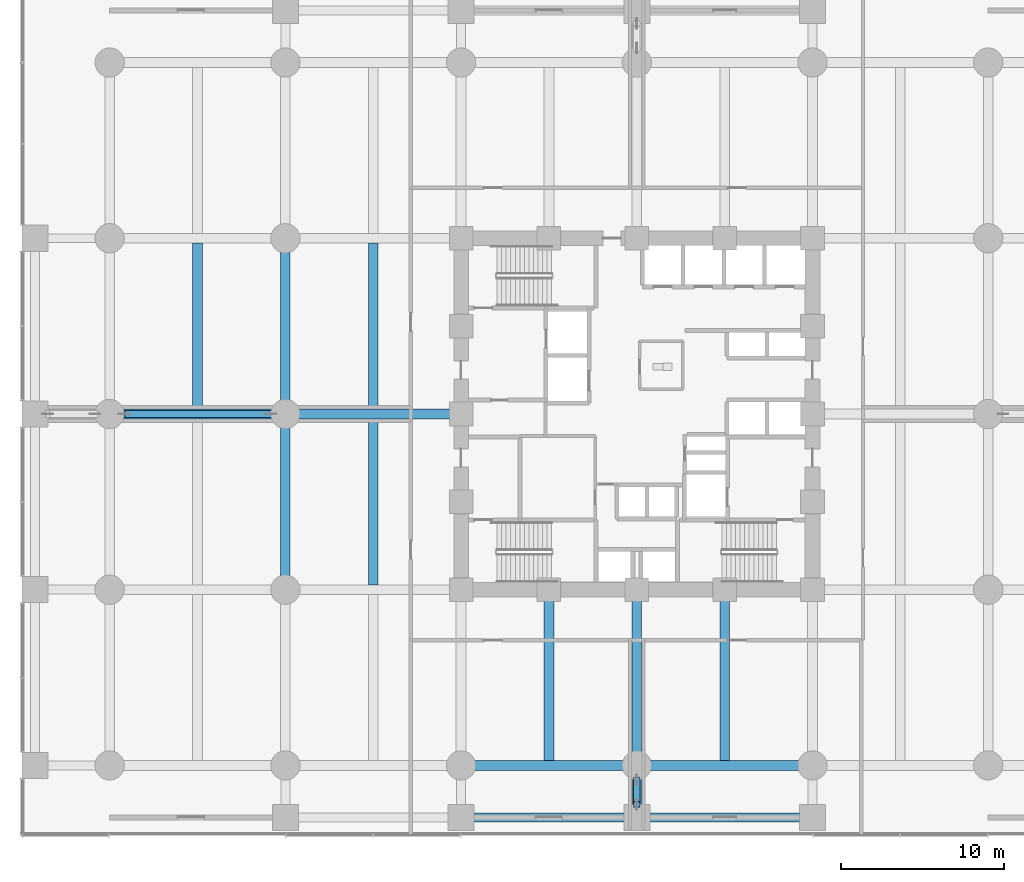
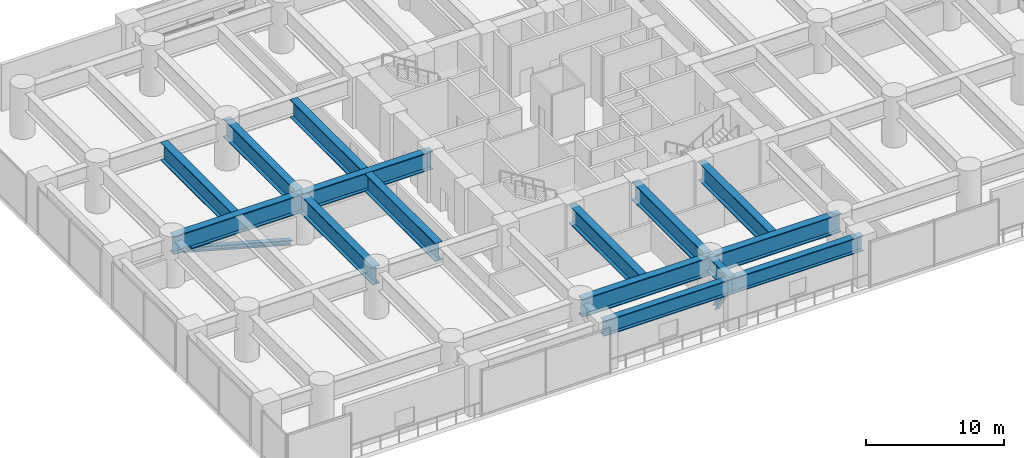
# One storey, part 8 of 37: 15 beams, 2 members.
"""IFC4 building model written with IfcOpenShell, lengths in metres."""

from ifc_helpers import new_model, si_unit, direction, frame, origin, origin_2d, place, context, subcontext, project, spatial, i_section, extrude, material, material_profile, profile_set, type_object, element, save


model = new_model("IFC4")

# Units and contexts
model_context = context("Model", 3, precision=1e-05, world=origin(), true_north=direction((0.0, 1.0)))
body_context = subcontext(model_context, "Body", "Model", "MODEL_VIEW")
ifc_project = project(units=[si_unit("LENGTHUNIT", "METRE"), si_unit("AREAUNIT", "SQUARE_METRE"), si_unit("VOLUMEUNIT", "CUBIC_METRE"), si_unit("PLANEANGLEUNIT", "RADIAN"), si_unit("MASSUNIT", "GRAM", prefix="KILO")], contexts=[model_context])

# Site, building, storey
site_placement = place(None, origin())
site = spatial("IfcSite", under=ifc_project, at=site_placement, CompositionType="ELEMENT")
building_placement = place(site_placement, origin())
building = spatial("IfcBuilding", under=site, at=building_placement, Name="Surkhivell Harbour Commons", CompositionType="ELEMENT")
storey_placement = place(building_placement, frame((0.0, 0.0, 18.0)))
storey = spatial("IfcBuildingStorey", under=building, at=storey_placement, Name="L04", CompositionType="ELEMENT", Elevation=18.0)

# Beams
ifc_material = material(Name="Steel S460", Category="steel")
ifc_material_profile_1 = material_profile(ifc_material, i_section(OverallWidth=0.550048828125, OverallDepth=1.35009765625, WebThickness=0.031982421875, FlangeThickness=0.06005859375, at=origin_2d()), Name="WPG1350x550x248")
ifc_profile_set_1 = profile_set([ifc_material_profile_1], Name="Steel S460")
beam_type_1 = type_object("IfcBeamType", Name="BM-TRF-1350", PredefinedType="BEAM", material=ifc_profile_set_1)
beam_1_placement = place(storey_placement, frame((-10.800048828125, -24.800048828125, 3.405029296875), z_axis=(1.0, 0.0, 0.0), x_axis=(0.0, 1.0, 0.0)))
element("IfcBeam", 1, at=beam_1_placement, inside=storey, type_object=beam_type_1, Name="L04 Transfer Girder (-10.8,-24.8)", PredefinedType="BEAM", context=body_context, shape_type="SweptSolid", body=[
    extrude(i_section(OverallWidth=0.550048828125, OverallDepth=1.35009765625, WebThickness=0.031982421875, FlangeThickness=0.06005859375, at=origin_2d()), origin(), (0.0, 0.0, 1.0), 10.800048828125),
])
beam_2_placement = place(storey_placement, frame((0.0, -24.800048828125, 3.405029296875), z_axis=(0.0, 1.0, 0.0), x_axis=(-1.0, 0.0, 0.0)))
element("IfcBeam", 2, at=beam_2_placement, inside=storey, type_object=beam_type_1, Name="L04 Transfer Girder (0.0,-24.8)", PredefinedType="BEAM", context=body_context, shape_type="SweptSolid", body=[
    extrude(i_section(OverallWidth=0.550048828125, OverallDepth=1.35009765625, WebThickness=0.031982421875, FlangeThickness=0.06005859375, at=origin_2d()), origin(), (0.0, 0.0, 1.0), 3.199951171875),
])
beam_3_placement = place(storey_placement, frame((0.0, -24.800048828125, 3.405029296875), z_axis=(1.0, 0.0, 0.0), x_axis=(0.0, 1.0, 0.0)))
element("IfcBeam", 3, at=beam_3_placement, inside=storey, type_object=beam_type_1, Name="L04 Transfer Girder (0.0,-24.8)", PredefinedType="BEAM", context=body_context, shape_type="SweptSolid", body=[
    extrude(i_section(OverallWidth=0.550048828125, OverallDepth=1.35009765625, WebThickness=0.031982421875, FlangeThickness=0.06005859375, at=origin_2d()), origin(), (0.0, 0.0, 1.0), 10.800048828125),
])
ifc_material_profile_2 = material_profile(ifc_material, i_section(OverallWidth=0.60009765625, OverallDepth=1.60009765625, WebThickness=0.035888671875, FlangeThickness=0.06494140625, at=origin_2d()), Name="WPG1600x600x296")
ifc_profile_set_2 = profile_set([ifc_material_profile_2], Name="Steel S460")
beam_type_2 = type_object("IfcBeamType", Name="BM-TRF-1600", PredefinedType="BEAM", material=ifc_profile_set_2)
beam_4_placement = place(storey_placement, frame((-32.39990234375, 0.0, 3.280029296875), z_axis=(1.0, 0.0, 0.0), x_axis=(0.0, 1.0, 0.0)))
element("IfcBeam", 4, at=beam_4_placement, inside=storey, type_object=beam_type_2, Name="L04 Transfer Girder (-32.4,0.0)", PredefinedType="BEAM", context=body_context, shape_type="SweptSolid", body=[
    extrude(i_section(OverallWidth=0.60009765625, OverallDepth=1.60009765625, WebThickness=0.035888671875, FlangeThickness=0.06494140625, at=origin_2d()), origin(), (0.0, 0.0, 1.0), 10.7998046875),
])
for number, where, z_axis, x_axis, name in (
    (5, (-21.60009765625, -10.800048828125, 3.280029296875), (0.0, 1.0, 0.0), (-1.0, 0.0, 0.0), "L04 Transfer Girder (-21.6,-10.8)"),
    (6, (-21.60009765625, 0.0, 3.280029296875), (0.0, 1.0, 0.0), (-1.0, 0.0, 0.0), "L04 Transfer Girder (-21.6,0.0)"),
    (7, (-21.60009765625, 0.0, 3.280029296875), (1.0, 0.0, 0.0), (0.0, 1.0, 0.0), "L04 Transfer Girder (-21.6,0.0)"),
    (8, (-10.800048828125, -21.60009765625, 3.280029296875), (1.0, 0.0, 0.0), (0.0, 1.0, 0.0), "L04 Transfer Girder (-10.8,-21.6)"),
    (9, (0.0, -21.60009765625, 3.280029296875), (0.0, 1.0, 0.0), (-1.0, 0.0, 0.0), "L04 Transfer Girder (0.0,-21.6)"),
    (10, (0.0, -21.60009765625, 3.280029296875), (1.0, 0.0, 0.0), (0.0, 1.0, 0.0), "L04 Transfer Girder (0.0,-21.6)"),
):
    element("IfcBeam", number, at=place(storey_placement, frame(where, z_axis=z_axis, x_axis=x_axis)), inside=storey, type_object=beam_type_2, Name=name, PredefinedType="BEAM", context=body_context, shape_type="SweptSolid", body=[
        extrude(i_section(OverallWidth=0.60009765625, OverallDepth=1.60009765625, WebThickness=0.035888671875, FlangeThickness=0.06494140625, at=origin_2d()), origin(), (0.0, 0.0, 1.0), 10.800048828125),
    ])
for number, where, z_axis, x_axis, name in (
    (11, (-27.0, 0.298095703125, 3.280029296875), (0.0, 1.0, 0.0), (-1.0, 0.0, 0.0), "L04 Secondary Transfer Girder (-27.0,0.0)"),
    (12, (-16.199951171875, -10.501953125, 3.280029296875), (0.0, 1.0, 0.0), (-1.0, 0.0, 0.0), "L04 Secondary Transfer Girder (-16.2,-10.8)"),
    (13, (-16.199951171875, 0.298095703125, 3.280029296875), (0.0, 1.0, 0.0), (-1.0, 0.0, 0.0), "L04 Secondary Transfer Girder (-16.2,0.0)"),
):
    element("IfcBeam", number, at=place(storey_placement, frame(where, z_axis=z_axis, x_axis=x_axis)), inside=storey, type_object=beam_type_2, Name=name, PredefinedType="BEAM", context=body_context, shape_type="SweptSolid", body=[
        extrude(i_section(OverallWidth=0.60009765625, OverallDepth=1.60009765625, WebThickness=0.035888671875, FlangeThickness=0.06494140625, at=origin_2d()), origin(), (0.0, 0.0, 1.0), 10.203857421875),
    ])
for number, where, z_axis, x_axis, name in (
    (14, (-5.39990234375, -21.302001953125, 3.280029296875), (0.0, 1.0, 0.0), (-1.0, 0.0, 0.0), "L04 Secondary Transfer Girder (-5.4,-21.6)"),
    (15, (5.39990234375, -21.302001953125, 3.280029296875), (0.0, 1.0, 0.0), (-1.0, 0.0, 0.0), "L04 Secondary Transfer Girder (5.4,-21.6)"),
):
    element("IfcBeam", number, at=place(storey_placement, frame(where, z_axis=z_axis, x_axis=x_axis)), inside=storey, type_object=beam_type_2, Name=name, PredefinedType="BEAM", context=body_context, shape_type="SweptSolid", body=[
        extrude(i_section(OverallWidth=0.60009765625, OverallDepth=1.60009765625, WebThickness=0.035888671875, FlangeThickness=0.06494140625, at=origin_2d()), origin(), (0.0, 0.0, 1.0), 10.2041015625),
    ])

# Members
ifc_material_profile_3 = material_profile(ifc_material, i_section(OverallWidth=0.406005859375, OverallDepth=0.416015625, WebThickness=0.026611328125, FlangeThickness=0.0390625, at=origin_2d()), Name="HD400x382")
ifc_profile_set_3 = profile_set([ifc_material_profile_3], Name="Steel S460")
member_type = type_object("IfcMemberType", Name="MEM-BRC-HD382", PredefinedType="BRACE", material=ifc_profile_set_3)
member_1_placement = place(storey_placement, frame((0.0, -22.49609375, 0.010009765625), z_axis=(0.0, -0.51798197074, 0.855391534906), x_axis=(1.0, 0.0, 0.0)))
element("IfcMember", 16, at=member_1_placement, inside=storey, type_object=member_type, Name="L04 Transfer Truss Diagonal TD-02", PredefinedType="BRACE", context=body_context, shape_type="SweptSolid", body=[
    extrude(i_section(OverallWidth=0.406005859375, OverallDepth=0.416015625, WebThickness=0.026611328125, FlangeThickness=0.0390625, at=origin_2d()), origin(), (0.0, 0.0, 1.0), 2.910888671875),
])
member_2_placement = place(storey_placement, frame((-22.49609375, 0.0, 0.010009765625), z_axis=(-0.963853237606, 0.0, 0.266433737271), x_axis=(0.0, -1.0, 0.0)))
element("IfcMember", 17, at=member_2_placement, inside=storey, type_object=member_type, Name="L04 Transfer Truss Diagonal TD-03", PredefinedType="BRACE", context=body_context, shape_type="SweptSolid", body=[
    extrude(i_section(OverallWidth=0.406005859375, OverallDepth=0.416015625, WebThickness=0.026611328125, FlangeThickness=0.0390625, at=origin_2d()), origin(), (0.0, 0.0, 1.0), 9.345703125),
])

save(model, "model.ifc")
